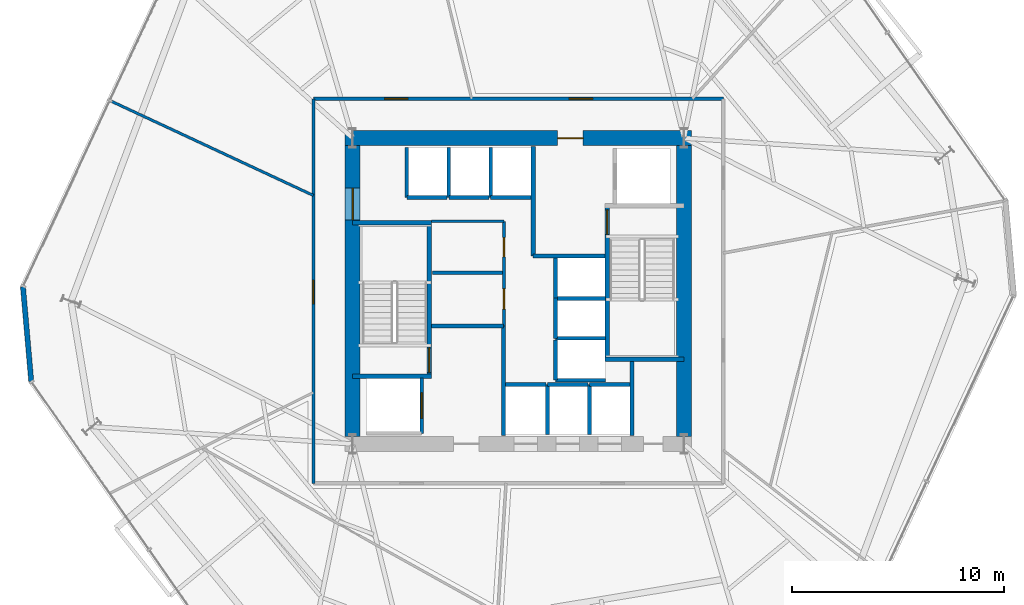
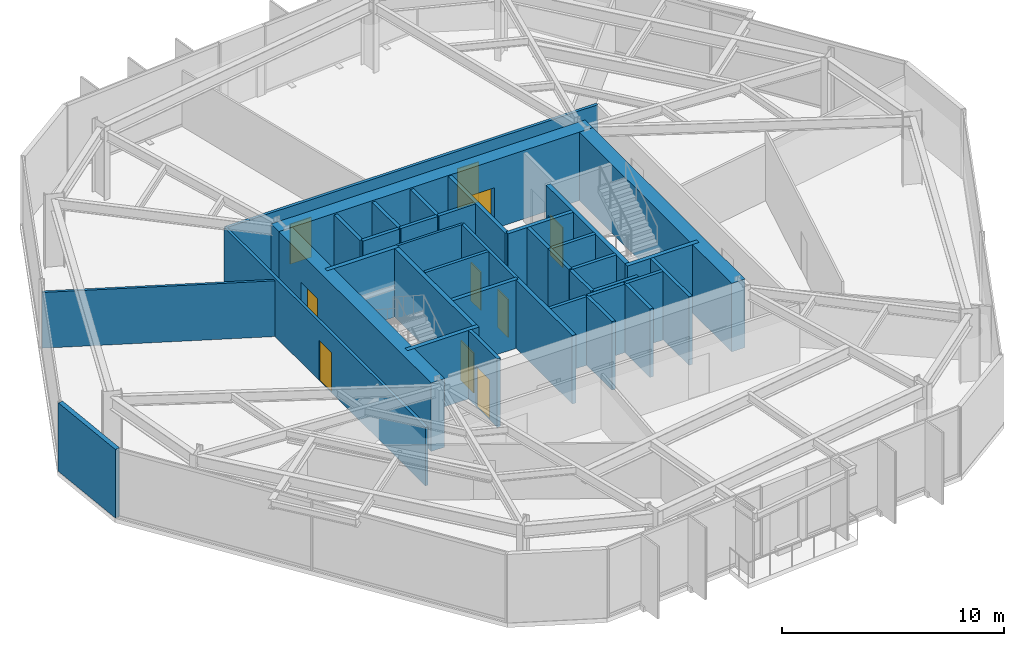
# One storey, part 7 of 11: 38 walls, 10 doors, 10 openings.
"""IFC4 building model written with IfcOpenShell, lengths in metres."""

from ifc_helpers import new_model, si_unit, direction, frame, frame_2d, origin, place, context, subcontext, project, spatial, rectangle, extrude, material, layer, layer_set, type_object, element, fill, save


model = new_model("IFC4")

# Units and contexts
model_context = context("Model", 3, precision=1e-05, world=origin(), true_north=direction((0.0, 1.0)))
body_context = subcontext(model_context, "Body", "Model", "MODEL_VIEW")
ifc_project = project(units=[si_unit("LENGTHUNIT", "METRE"), si_unit("AREAUNIT", "SQUARE_METRE"), si_unit("VOLUMEUNIT", "CUBIC_METRE"), si_unit("PLANEANGLEUNIT", "RADIAN"), si_unit("MASSUNIT", "GRAM", prefix="KILO")], contexts=[model_context])

# Site, building, storey
site_placement = place(None, origin())
site = spatial("IfcSite", under=ifc_project, at=site_placement, CompositionType="ELEMENT")
building_placement = place(site_placement, origin())
building = spatial("IfcBuilding", under=site, at=building_placement, Name="Kranzbogen Civic Tower", CompositionType="ELEMENT")
storey_placement = place(building_placement, frame((0.0, 0.0, 40.0)))
storey = spatial("IfcBuildingStorey", under=building, at=storey_placement, Name="L09", CompositionType="ELEMENT", Elevation=40.0)

# Wall, openings, doors
ifc_material_1 = material(Name="Double-Stud Acoustic Gypsum Partition")
ifc_layer_1 = layer(ifc_material_1, 0.14990234375, Name="Double-Stud Acoustic Gypsum Partition")
ifc_layer_set_1 = layer_set([ifc_layer_1], Name="Double-Stud Acoustic Gypsum Partition")
wall_type_1 = type_object("IfcWallType", Name="Acoustic Corridor and Clinical Partition 150 mm", PredefinedType="PARTITIONING", material=ifc_layer_set_1)
wall_1_placement = place(storey_placement, frame((15.35009765625, 34.050048828125, 0.0), z_axis=(0.0, 0.0, 1.0), x_axis=(1.0, 0.0, 0.0)))
wall_1 = element("IfcWall", 1, at=wall_1_placement, inside=storey, type_object=wall_type_1, Name="L09 corridor partition 01", PredefinedType="PARTITIONING", context=body_context, shape_type="SweptSolid", body=[
    extrude(rectangle(XDim=19.2998046875, YDim=0.14990234375, at=frame_2d((9.64990234375, 0.0))), origin(), (0.0, 0.0, 1.0), 3.2099609375),
])
opening_1_placement = place(wall_1_placement, frame((12.0439453125, 0.0, 0.0)))
opening_1 = element("IfcOpeningElement", 2, at=opening_1_placement, cuts=wall_1, Name="Opening D-COR60", PredefinedType="OPENING", context=body_context, shape_type="SweptSolid", body=[
    extrude(rectangle(XDim=1.10009765625, YDim=2.199951171875, at=frame_2d((0.550048828125, 1.10009765625))), frame((0.0, 0.0849609375, 0.0), z_axis=(0.0, -1.0, 0.0), x_axis=(1.0, 0.0, 0.0)), (0.0, 0.0, 1.0), 0.169921875),
])
opening_2_placement = place(wall_1_placement, frame((3.35107421875, 0.0, 0.0)))
opening_2 = element("IfcOpeningElement", 3, at=opening_2_placement, cuts=wall_1, Name="Opening D-COR60", PredefinedType="OPENING", context=body_context, shape_type="SweptSolid", body=[
    extrude(rectangle(XDim=1.10009765625, YDim=2.199951171875, at=frame_2d((0.550048828125, 1.10009765625))), frame((0.0, 0.0849609375, 0.0), z_axis=(0.0, -1.0, 0.0), x_axis=(1.0, 0.0, 0.0)), (0.0, 0.0, 1.0), 0.169921875),
])
ifc_material_2 = material(Name="Oak Timber and Fire Core", Category="wood")
door_type_1 = type_object("IfcDoorType", Name="Corridor Acoustic Fire Door 1100x2200", OperationType="NOTDEFINED", PredefinedType="DOOR", material=ifc_material_2)
door_1_placement = place(opening_1_placement, origin())
door_1 = element("IfcDoor", 4, at=door_1_placement, inside=storey, type_object=door_type_1, Name="L09 Public Delegation Reception door", OperationType="SINGLE_SWING_RIGHT", OverallHeight=2.199951171875, OverallWidth=1.10009765625, PredefinedType="DOOR", context=body_context, shape_type="SweptSolid", body=[
    extrude(rectangle(XDim=1.10009765625, YDim=2.199951171875, at=frame_2d((0.550048828125, 1.10009765625))), frame((0.0, 0.02490234375, 0.0), z_axis=(0.0, -1.0, 0.0), x_axis=(1.0, 0.0, 0.0)), (0.0, 0.0, 1.0), 0.050048828125),
])
fill(opening_1, door_1)
door_2_placement = place(opening_2_placement, origin())
door_2 = element("IfcDoor", 5, at=door_2_placement, inside=storey, type_object=door_type_1, Name="L09 Operations Security Control Room door", OperationType="SINGLE_SWING_LEFT", OverallHeight=2.199951171875, OverallWidth=1.10009765625, PredefinedType="DOOR", context=body_context, shape_type="SweptSolid", body=[
    extrude(rectangle(XDim=1.10009765625, YDim=2.199951171875, at=frame_2d((0.550048828125, 1.10009765625))), frame((0.0, 0.02490234375, 0.0), z_axis=(0.0, -1.0, 0.0), x_axis=(1.0, 0.0, 0.0)), (0.0, 0.0, 1.0), 0.050048828125),
])
fill(opening_2, door_2)

# Wall, opening, door
wall_2_placement = place(storey_placement, frame((15.35009765625, 15.949951171875, 0.0), z_axis=(0.0, 0.0, 1.0), x_axis=(0.0, 1.0, 0.0)))
wall_2 = element("IfcWall", 6, at=wall_2_placement, inside=storey, type_object=wall_type_1, Name="L09 corridor partition 04", PredefinedType="PARTITIONING", context=body_context, shape_type="SweptSolid", body=[
    extrude(rectangle(XDim=18.10009765625, YDim=0.14990234375, at=frame_2d((9.050048828125, 0.0))), origin(), (0.0, 0.0, 1.0), 3.2099609375),
])
opening_3_placement = place(wall_2_placement, frame((8.447021484375, 0.0, 0.0)))
opening_3 = element("IfcOpeningElement", 7, at=opening_3_placement, cuts=wall_2, Name="Opening D-COR60", PredefinedType="OPENING", context=body_context, shape_type="SweptSolid", body=[
    extrude(rectangle(XDim=1.10009765625, YDim=2.199951171875, at=frame_2d((0.550048828125, 1.10009765625))), frame((0.0, 0.0849609375, 0.0), z_axis=(0.0, -1.0, 0.0), x_axis=(1.0, 0.0, 0.0)), (0.0, 0.0, 1.0), 0.169921875),
])
door_3_placement = place(opening_3_placement, origin())
door_3 = element("IfcDoor", 8, at=door_3_placement, inside=storey, type_object=door_type_1, Name="L09 Ministerial Policy Office door", OperationType="SINGLE_SWING_LEFT", OverallHeight=2.199951171875, OverallWidth=1.10009765625, PredefinedType="DOOR", context=body_context, shape_type="SweptSolid", body=[
    extrude(rectangle(XDim=1.10009765625, YDim=2.199951171875, at=frame_2d((0.550048828125, 1.10009765625))), frame((0.0, 0.02490234375, 0.0), z_axis=(0.0, -1.0, 0.0), x_axis=(1.0, 0.0, 0.0)), (0.0, 0.0, 1.0), 0.050048828125),
])
fill(opening_3, door_3)

# Walls
ifc_material_3 = material(Name="Insulated Metal-Stud Gypsum Partition")
ifc_layer_2 = layer(ifc_material_3, 0.125, Name="Insulated Metal-Stud Gypsum Partition")
ifc_layer_set_2 = layer_set([ifc_layer_2], Name="Insulated Metal-Stud Gypsum Partition")
wall_type_2 = type_object("IfcWallType", Name="Acoustic Inter-Room Partition 125 mm", PredefinedType="PARTITIONING", material=ifc_layer_set_2)
wall_3_placement = place(storey_placement, frame((20.919921875, 28.280029296875, 0.0), z_axis=(0.0, 0.0, 1.0), x_axis=(1.0, 0.0, 0.0)))
element("IfcWall", 9, at=wall_3_placement, inside=storey, type_object=wall_type_2, Name="L09 core auxiliary North wall", PredefinedType="PARTITIONING", context=body_context, shape_type="SweptSolid", body=[
    extrude(rectangle(XDim=3.405029296875, YDim=0.125, at=frame_2d((1.70263671875, 0.0))), origin(), (0.0, 0.0, 1.0), 3.760009765625),
])
wall_4_placement = place(storey_placement, frame((15.35009765625, 29.5, 0.0), z_axis=(0.0, 0.0, 1.0), x_axis=(-0.906299491234, 0.42263605169, 0.0)))
element("IfcWall", 10, at=wall_4_placement, inside=storey, type_object=wall_type_2, Name="L09 radial room partition 03", PredefinedType="PARTITIONING", context=body_context, shape_type="SweptSolid", body=[
    extrude(rectangle(XDim=10.557373046875, YDim=0.125, at=frame_2d((5.27880859375, 0.0))), origin(), (0.0, 0.0, 1.0), 3.06005859375),
])

# Wall, opening, door
ifc_material_4 = material(Name="Concrete C55/67", Category="concrete")
ifc_layer_3 = layer(ifc_material_4, 0.699951171875, Name="Concrete C55/67")
ifc_layer_set_3 = layer_set([ifc_layer_3], Name="Concrete C55/67")
wall_type_3 = type_object("IfcWallType", Name="Central Core Shear Wall 700 mm", PredefinedType="SHEAR", material=ifc_layer_set_3)
wall_5_placement = place(storey_placement, frame((33.14990234375, 32.199951171875, 0.0), z_axis=(0.0, 0.0, 1.0), x_axis=(-1.0, 0.0, 0.0)))
wall_5 = element("IfcWall", 11, at=wall_5_placement, inside=storey, type_object=wall_type_3, Name="L09 central core North shear wall", PredefinedType="SHEAR", context=body_context, shape_type="SweptSolid", body=[
    extrude(rectangle(XDim=16.2998046875, YDim=0.699951171875, at=frame_2d((8.14990234375, 0.0))), origin(), (0.0, 0.0, 1.0), 3.760009765625),
])
opening_4_placement = place(wall_5_placement, frame((5.10009765625, 0.0, 0.0)))
opening_4 = element("IfcOpeningElement", 12, at=opening_4_placement, cuts=wall_5, Name="Opening D-EX120", PredefinedType="OPENING", context=body_context, shape_type="SweptSolid", body=[
    extrude(rectangle(XDim=1.199951171875, YDim=2.25, at=frame_2d((0.60009765625, 1.125))), frame((0.0, 0.35986328125, 0.0), z_axis=(0.0, -1.0, 0.0), x_axis=(1.0, 0.0, 0.0)), (0.0, 0.0, 1.0), 0.719970703125),
])
ifc_material_5 = material(Name="Steel S355", Category="steel")
door_type_2 = type_object("IfcDoorType", Name="Exit Passageway Fire Door 1200x2250", OperationType="NOTDEFINED", PredefinedType="DOOR", material=ifc_material_5)
door_4_placement = place(opening_4_placement, origin())
door_4 = element("IfcDoor", 13, at=door_4_placement, inside=storey, type_object=door_type_2, Name="L09 East firefighting lobby corridor door", OperationType="SINGLE_SWING_LEFT", OverallHeight=2.25, OverallWidth=1.199951171875, PredefinedType="DOOR", context=body_context, shape_type="SweptSolid", body=[
    extrude(rectangle(XDim=1.199951171875, YDim=2.25, at=frame_2d((0.60009765625, 1.125))), frame((0.0, 0.02490234375, 0.0), z_axis=(0.0, -1.0, 0.0), x_axis=(1.0, 0.0, 0.0)), (0.0, 0.0, 1.0), 0.050048828125),
])
fill(opening_4, door_4)

wall_6_placement = place(storey_placement, frame((17.199951171875, 31.85009765625, 0.0), z_axis=(0.0, 0.0, 1.0), x_axis=(0.0, -1.0, 0.0)))
wall_6 = element("IfcWall", 14, at=wall_6_placement, inside=storey, type_object=wall_type_3, Name="L09 central core West shear wall", PredefinedType="SHEAR", context=body_context, shape_type="SweptSolid", body=[
    extrude(rectangle(XDim=13.7001953125, YDim=0.699951171875, at=frame_2d((6.85009765625, 0.0))), origin(), (0.0, 0.0, 1.0), 3.760009765625),
])
opening_5_placement = place(wall_6_placement, frame((2.0, 0.0, 0.0)))
opening_5 = element("IfcOpeningElement", 15, at=opening_5_placement, cuts=wall_6, Name="Opening D-DBL15", PredefinedType="OPENING", context=body_context, shape_type="SweptSolid", body=[
    extrude(rectangle(XDim=1.5, YDim=2.199951171875, at=frame_2d((0.75, 1.10009765625))), frame((0.0, 0.35986328125, 0.0), z_axis=(0.0, -1.0, 0.0), x_axis=(1.0, 0.0, 0.0)), (0.0, 0.0, 1.0), 0.719970703125),
])
ifc_material_6 = material(Name="Anodised Bronze and Glass", Category="glass")
door_type_3 = type_object("IfcDoorType", Name="Civic Lobby Double Door 1500x2200", OperationType="DOUBLE_DOOR_SINGLE_SWING", PredefinedType="DOOR", material=ifc_material_6)
door_5_placement = place(opening_5_placement, origin())
door_5 = element("IfcDoor", 16, at=door_5_placement, inside=storey, type_object=door_type_3, Name="L09 Central Lift Lobby West concourse door", OperationType="DOUBLE_DOOR_SINGLE_SWING", OverallHeight=2.199951171875, OverallWidth=1.5, PredefinedType="DOOR", context=body_context, shape_type="SweptSolid", body=[
    extrude(rectangle(XDim=1.5, YDim=2.199951171875, at=frame_2d((0.75, 1.10009765625))), frame((0.0, 0.02490234375, 0.0), z_axis=(0.0, -1.0, 0.0), x_axis=(1.0, 0.0, 0.0)), (0.0, 0.0, 1.0), 0.050048828125),
])
fill(opening_5, door_5)

# Wall
wall_7_placement = place(storey_placement, frame((32.800048828125, 18.14990234375, 0.0), z_axis=(0.0, 0.0, 1.0), x_axis=(0.0, 1.0, 0.0)))
element("IfcWall", 17, at=wall_7_placement, inside=storey, type_object=wall_type_3, Name="L09 central core East shear wall", PredefinedType="SHEAR", context=body_context, shape_type="SweptSolid", body=[
    extrude(rectangle(XDim=13.7001953125, YDim=0.699951171875, at=frame_2d((6.85009765625, 0.0))), origin(), (0.0, 0.0, 1.0), 3.760009765625),
])

# Wall, opening, door
ifc_material_7 = material(Name="Concrete C45/55", Category="concrete")
ifc_layer_4 = layer(ifc_material_7, 0.219970703125, Name="Concrete C45/55")
ifc_layer_set_4 = layer_set([ifc_layer_4], Name="Concrete C45/55")
wall_type_4 = type_object("IfcWallType", Name="Core Internal Stair Structural Wall 220 mm", PredefinedType="SOLIDWALL", material=ifc_layer_set_4)
wall_8_placement = place(storey_placement, frame((20.81005859375, 20.989990234375, 0.0), z_axis=(0.0, 0.0, 1.0), x_axis=(0.0, 1.0, 0.0)))
wall_8 = element("IfcWall", 18, at=wall_8_placement, inside=storey, type_object=wall_type_4, Name="L09 ST-T1 East structural stair wall", PredefinedType="SOLIDWALL", context=body_context, shape_type="SweptSolid", body=[
    extrude(rectangle(XDim=7.219970703125, YDim=0.219970703125, at=frame_2d((3.60986328125, 0.0))), origin(), (0.0, 0.0, 1.0), 3.760009765625),
])
opening_6_placement = place(wall_8_placement, frame((0.179931640625, 0.0, 0.0)))
opening_6 = element("IfcOpeningElement", 19, at=opening_6_placement, cuts=wall_8, Name="Opening D-ST90", PredefinedType="OPENING", context=body_context, shape_type="SweptSolid", body=[
    extrude(rectangle(XDim=1.14990234375, YDim=2.199951171875, at=frame_2d((0.574951171875, 1.10009765625))), frame((0.0, 0.1201171875, 0.0), z_axis=(0.0, -1.0, 0.0), x_axis=(1.0, 0.0, 0.0)), (0.0, 0.0, 1.0), 0.239990234375),
])
door_type_4 = type_object("IfcDoorType", Name="Pressurized Stair and Lobby Fire Door 1150x2200", OperationType="NOTDEFINED", PredefinedType="DOOR", material=ifc_material_5)
door_6_placement = place(opening_6_placement, origin())
door_6 = element("IfcDoor", 20, at=door_6_placement, inside=storey, type_object=door_type_4, Name="L09 Stair ST-T1 fire door", OperationType="SINGLE_SWING_RIGHT", OverallHeight=2.199951171875, OverallWidth=1.14990234375, PredefinedType="DOOR", context=body_context, shape_type="SweptSolid", body=[
    extrude(rectangle(XDim=1.14990234375, YDim=2.199951171875, at=frame_2d((0.574951171875, 1.10009765625))), frame((0.0, 0.02490234375, 0.0), z_axis=(0.0, -1.0, 0.0), x_axis=(1.0, 0.0, 0.0)), (0.0, 0.0, 1.0), 0.050048828125),
])
fill(opening_6, door_6)

# Walls
for number, where, z_axis, x_axis, name in (
    (21, (17.199951171875, 20.989990234375, 0.0), (0.0, 0.0, 1.0), (1.0, 0.0, 0.0), "L09 ST-T1 South structural stair wall"),
    (22, (17.199951171875, 28.2099609375, 0.0), (0.0, 0.0, 1.0), (1.0, 0.0, 0.0), "L09 ST-T1 North structural stair wall"),
):
    element("IfcWall", number, at=place(storey_placement, frame(where, z_axis=z_axis, x_axis=x_axis)), inside=storey, type_object=wall_type_4, Name=name, PredefinedType="SOLIDWALL", context=body_context, shape_type="SweptSolid", body=[
        extrude(rectangle(XDim=3.719970703125, YDim=0.219970703125, at=frame_2d((1.85986328125, 0.0))), origin(), (0.0, 0.0, 1.0), 3.760009765625),
    ])

# Wall, opening, door
wall_9_placement = place(storey_placement, frame((29.18994140625, 21.7900390625, 0.0), z_axis=(0.0, 0.0, 1.0), x_axis=(0.0, 1.0, 0.0)))
wall_9 = element("IfcWall", 23, at=wall_9_placement, inside=storey, type_object=wall_type_4, Name="L09 ST-T2 West structural stair wall", PredefinedType="SOLIDWALL", context=body_context, shape_type="SweptSolid", body=[
    extrude(rectangle(XDim=7.219970703125, YDim=0.219970703125, at=frame_2d((3.60986328125, 0.0))), origin(), (0.0, 0.0, 1.0), 3.760009765625),
])
opening_7_placement = place(wall_9_placement, frame((5.8798828125, 0.0, 0.0)))
opening_7 = element("IfcOpeningElement", 24, at=opening_7_placement, cuts=wall_9, Name="Opening D-ST90", PredefinedType="OPENING", context=body_context, shape_type="SweptSolid", body=[
    extrude(rectangle(XDim=1.14990234375, YDim=2.199951171875, at=frame_2d((0.574951171875, 1.10009765625))), frame((0.0, 0.1201171875, 0.0), z_axis=(0.0, -1.0, 0.0), x_axis=(1.0, 0.0, 0.0)), (0.0, 0.0, 1.0), 0.239990234375),
])
door_7_placement = place(opening_7_placement, origin())
door_7 = element("IfcDoor", 25, at=door_7_placement, inside=storey, type_object=door_type_4, Name="L09 Stair ST-T2 fire door", OperationType="SINGLE_SWING_LEFT", OverallHeight=2.199951171875, OverallWidth=1.14990234375, PredefinedType="DOOR", context=body_context, shape_type="SweptSolid", body=[
    extrude(rectangle(XDim=1.14990234375, YDim=2.199951171875, at=frame_2d((0.574951171875, 1.10009765625))), frame((0.0, 0.02490234375, 0.0), z_axis=(0.0, -1.0, 0.0), x_axis=(1.0, 0.0, 0.0)), (0.0, 0.0, 1.0), 0.050048828125),
])
fill(opening_7, door_7)

# Walls
wall_10_placement = place(storey_placement, frame((29.080078125, 21.7900390625, 0.0), z_axis=(0.0, 0.0, 1.0), x_axis=(1.0, 0.0, 0.0)))
element("IfcWall", 26, at=wall_10_placement, inside=storey, type_object=wall_type_4, Name="L09 ST-T2 South structural stair wall", PredefinedType="SOLIDWALL", context=body_context, shape_type="SweptSolid", body=[
    extrude(rectangle(XDim=3.719970703125, YDim=0.219970703125, at=frame_2d((1.85986328125, 0.0))), origin(), (0.0, 0.0, 1.0), 3.760009765625),
])
ifc_material_8 = material(Name="Gypsum Fireboard and Concrete Block", Category="concrete")
ifc_layer_5 = layer(ifc_material_8, 0.199951171875, Name="Gypsum Fireboard and Concrete Block")
ifc_layer_set_5 = layer_set([ifc_layer_5], Name="Gypsum Fireboard and Concrete Block")
wall_type_5 = type_object("IfcWallType", Name="Fire-Rated Exit Passageway and Stair Wall 200 mm", PredefinedType="PARTITIONING", material=ifc_layer_set_5)
wall_11_placement = place(storey_placement, frame((24.300048828125, 18.199951171875, 0.0), z_axis=(0.0, 0.0, 1.0), x_axis=(0.0, 1.0, 0.0)))
element("IfcWall", 27, at=wall_11_placement, inside=storey, type_object=wall_type_5, Name="L09 West firefighting lobby East wall", PredefinedType="PARTITIONING", context=body_context, shape_type="SweptSolid", body=[
    extrude(rectangle(XDim=5.150146484375, YDim=0.199951171875, at=frame_2d((2.5751953125, 0.0))), origin(), (0.0, 0.0, 1.0), 3.760009765625),
])
wall_12_placement = place(storey_placement, frame((20.919921875, 23.35009765625, 0.0), z_axis=(0.0, 0.0, 1.0), x_axis=(1.0, 0.0, 0.0)))
element("IfcWall", 28, at=wall_12_placement, inside=storey, type_object=wall_type_5, Name="L09 West firefighting lobby North wall", PredefinedType="PARTITIONING", context=body_context, shape_type="SweptSolid", body=[
    extrude(rectangle(XDim=3.380126953125, YDim=0.199951171875, at=frame_2d((1.68994140625, 0.0))), origin(), (0.0, 0.0, 1.0), 3.760009765625),
])
wall_13_placement = place(storey_placement, frame((25.699951171875, 26.64990234375, 0.0), z_axis=(0.0, 0.0, 1.0), x_axis=(0.0, 1.0, 0.0)))
element("IfcWall", 29, at=wall_13_placement, inside=storey, type_object=wall_type_5, Name="L09 East firefighting lobby West wall", PredefinedType="PARTITIONING", context=body_context, shape_type="SweptSolid", body=[
    extrude(rectangle(XDim=5.150146484375, YDim=0.199951171875, at=frame_2d((2.5751953125, 0.0))), origin(), (0.0, 0.0, 1.0), 3.760009765625),
])
wall_14_placement = place(storey_placement, frame((25.699951171875, 26.64990234375, 0.0), z_axis=(0.0, 0.0, 1.0), x_axis=(1.0, 0.0, 0.0)))
element("IfcWall", 30, at=wall_14_placement, inside=storey, type_object=wall_type_5, Name="L09 East firefighting lobby South wall", PredefinedType="PARTITIONING", context=body_context, shape_type="SweptSolid", body=[
    extrude(rectangle(XDim=3.380126953125, YDim=0.199951171875, at=frame_2d((1.68994140625, 0.0))), origin(), (0.0, 0.0, 1.0), 3.760009765625),
])
ifc_material_9 = material(Name="Gypsum Fireboard Shaftliner")
ifc_layer_6 = layer(ifc_material_9, 0.175048828125, Name="Gypsum Fireboard Shaftliner")
ifc_layer_set_6 = layer_set([ifc_layer_6], Name="Gypsum Fireboard Shaftliner")
wall_type_6 = type_object("IfcWallType", Name="Fire-Rated Lift and Service Shaft Wall 175 mm", PredefinedType="PARTITIONING", material=ifc_layer_set_6)
wall_15_placement = place(storey_placement, frame((30.35009765625, 18.199951171875, 0.0), z_axis=(0.0, 0.0, 1.0), x_axis=(0.0, 1.0, 0.0)))
element("IfcWall", 31, at=wall_15_placement, inside=storey, type_object=wall_type_6, Name="L09 East core riser West wall", PredefinedType="PARTITIONING", context=body_context, shape_type="SweptSolid", body=[
    extrude(rectangle(XDim=3.47998046875, YDim=0.175048828125, at=frame_2d((1.739990234375, 0.0))), origin(), (0.0, 0.0, 1.0), 3.760009765625),
])
wall_16_placement = place(storey_placement, frame((24.39990234375, 20.60009765625, 0.0), z_axis=(0.0, 0.0, 1.0), x_axis=(1.0, 0.0, 0.0)))
element("IfcWall", 32, at=wall_16_placement, inside=storey, type_object=wall_type_6, Name="L09 lift LP-01 rear wall", PredefinedType="PARTITIONING", context=body_context, shape_type="SweptSolid", body=[
    extrude(rectangle(XDim=1.900146484375, YDim=0.175048828125, at=frame_2d((0.9501953125, 0.0))), origin(), (0.0, 0.0, 1.0), 3.760009765625),
])
wall_17_placement = place(storey_placement, frame((26.375, 20.60009765625, 0.0), z_axis=(0.0, 0.0, 1.0), x_axis=(1.0, 0.0, 0.0)))
element("IfcWall", 33, at=wall_17_placement, inside=storey, type_object=wall_type_6, Name="L09 lift LP-02 rear wall", PredefinedType="PARTITIONING", context=body_context, shape_type="SweptSolid", body=[
    extrude(rectangle(XDim=1.89990234375, YDim=0.175048828125, at=frame_2d((0.949951171875, 0.0))), origin(), (0.0, 0.0, 1.0), 3.760009765625),
])
wall_18_placement = place(storey_placement, frame((26.375, 18.25, 0.0), z_axis=(0.0, 0.0, 1.0), x_axis=(0.0, 1.0, 0.0)))
element("IfcWall", 34, at=wall_18_placement, inside=storey, type_object=wall_type_6, Name="L09 lift LP-02 side wall", PredefinedType="PARTITIONING", context=body_context, shape_type="SweptSolid", body=[
    extrude(rectangle(XDim=2.35009765625, YDim=0.175048828125, at=frame_2d((1.175048828125, 0.0))), origin(), (0.0, 0.0, 1.0), 3.760009765625),
])
wall_19_placement = place(storey_placement, frame((28.35009765625, 20.60009765625, 0.0), z_axis=(0.0, 0.0, 1.0), x_axis=(1.0, 0.0, 0.0)))
element("IfcWall", 35, at=wall_19_placement, inside=storey, type_object=wall_type_6, Name="L09 lift LP-03 rear wall", PredefinedType="PARTITIONING", context=body_context, shape_type="SweptSolid", body=[
    extrude(rectangle(XDim=1.89990234375, YDim=0.175048828125, at=frame_2d((0.949951171875, 0.0))), origin(), (0.0, 0.0, 1.0), 3.760009765625),
])
wall_20_placement = place(storey_placement, frame((28.35009765625, 18.25, 0.0), z_axis=(0.0, 0.0, 1.0), x_axis=(0.0, 1.0, 0.0)))
element("IfcWall", 36, at=wall_20_placement, inside=storey, type_object=wall_type_6, Name="L09 lift LP-03 side wall", PredefinedType="PARTITIONING", context=body_context, shape_type="SweptSolid", body=[
    extrude(rectangle(XDim=2.35009765625, YDim=0.175048828125, at=frame_2d((1.175048828125, 0.0))), origin(), (0.0, 0.0, 1.0), 3.760009765625),
])
wall_21_placement = place(storey_placement, frame((19.75, 29.39990234375, 0.0), z_axis=(0.0, 0.0, 1.0), x_axis=(1.0, 0.0, 0.0)))
element("IfcWall", 37, at=wall_21_placement, inside=storey, type_object=wall_type_6, Name="L09 lift MP-01 rear wall", PredefinedType="PARTITIONING", context=body_context, shape_type="SweptSolid", body=[
    extrude(rectangle(XDim=1.89990234375, YDim=0.175048828125, at=frame_2d((0.949951171875, 0.0))), origin(), (0.0, 0.0, 1.0), 3.760009765625),
])
wall_22_placement = place(storey_placement, frame((19.75, 29.39990234375, 0.0), z_axis=(0.0, 0.0, 1.0), x_axis=(0.0, 1.0, 0.0)))
element("IfcWall", 38, at=wall_22_placement, inside=storey, type_object=wall_type_6, Name="L09 lift MP-01 side wall", PredefinedType="PARTITIONING", context=body_context, shape_type="SweptSolid", body=[
    extrude(rectangle(XDim=2.35009765625, YDim=0.175048828125, at=frame_2d((1.175048828125, 0.0))), origin(), (0.0, 0.0, 1.0), 3.760009765625),
])
wall_23_placement = place(storey_placement, frame((21.72509765625, 29.39990234375, 0.0), z_axis=(0.0, 0.0, 1.0), x_axis=(1.0, 0.0, 0.0)))
element("IfcWall", 39, at=wall_23_placement, inside=storey, type_object=wall_type_6, Name="L09 lift MP-02 rear wall", PredefinedType="PARTITIONING", context=body_context, shape_type="SweptSolid", body=[
    extrude(rectangle(XDim=1.89990234375, YDim=0.175048828125, at=frame_2d((0.949951171875, 0.0))), origin(), (0.0, 0.0, 1.0), 3.760009765625),
])
wall_24_placement = place(storey_placement, frame((21.72509765625, 29.39990234375, 0.0), z_axis=(0.0, 0.0, 1.0), x_axis=(0.0, 1.0, 0.0)))
element("IfcWall", 40, at=wall_24_placement, inside=storey, type_object=wall_type_6, Name="L09 lift MP-02 side wall", PredefinedType="PARTITIONING", context=body_context, shape_type="SweptSolid", body=[
    extrude(rectangle(XDim=2.35009765625, YDim=0.175048828125, at=frame_2d((1.175048828125, 0.0))), origin(), (0.0, 0.0, 1.0), 3.760009765625),
])
wall_25_placement = place(storey_placement, frame((23.699951171875, 29.39990234375, 0.0), z_axis=(0.0, 0.0, 1.0), x_axis=(1.0, 0.0, 0.0)))
element("IfcWall", 41, at=wall_25_placement, inside=storey, type_object=wall_type_6, Name="L09 lift MP-03 rear wall", PredefinedType="PARTITIONING", context=body_context, shape_type="SweptSolid", body=[
    extrude(rectangle(XDim=1.900146484375, YDim=0.175048828125, at=frame_2d((0.9501953125, 0.0))), origin(), (0.0, 0.0, 1.0), 3.760009765625),
])
wall_26_placement = place(storey_placement, frame((23.699951171875, 29.39990234375, 0.0), z_axis=(0.0, 0.0, 1.0), x_axis=(0.0, 1.0, 0.0)))
element("IfcWall", 42, at=wall_26_placement, inside=storey, type_object=wall_type_6, Name="L09 lift MP-03 side wall", PredefinedType="PARTITIONING", context=body_context, shape_type="SweptSolid", body=[
    extrude(rectangle(XDim=2.35009765625, YDim=0.175048828125, at=frame_2d((1.175048828125, 0.0))), origin(), (0.0, 0.0, 1.0), 3.760009765625),
])
wall_27_placement = place(storey_placement, frame((26.75, 20.800048828125, 0.0), z_axis=(0.0, 0.0, 1.0), x_axis=(0.0, 1.0, 0.0)))
element("IfcWall", 43, at=wall_27_placement, inside=storey, type_object=wall_type_6, Name="L09 lift HP-01 landing wall", PredefinedType="PARTITIONING", context=body_context, shape_type="SweptSolid", body=[
    extrude(rectangle(XDim=1.89990234375, YDim=0.175048828125, at=frame_2d((0.949951171875, 0.0))), origin(), (0.0, 0.0, 1.0), 3.760009765625),
])
wall_28_placement = place(storey_placement, frame((26.75, 20.800048828125, 0.0), z_axis=(0.0, 0.0, 1.0), x_axis=(1.0, 0.0, 0.0)))
element("IfcWall", 44, at=wall_28_placement, inside=storey, type_object=wall_type_6, Name="L09 lift HP-01 side wall", PredefinedType="PARTITIONING", context=body_context, shape_type="SweptSolid", body=[
    extrude(rectangle(XDim=2.35009765625, YDim=0.175048828125, at=frame_2d((1.175048828125, 0.0))), origin(), (0.0, 0.0, 1.0), 3.760009765625),
])
wall_29_placement = place(storey_placement, frame((26.75, 22.77490234375, 0.0), z_axis=(0.0, 0.0, 1.0), x_axis=(0.0, 1.0, 0.0)))
element("IfcWall", 45, at=wall_29_placement, inside=storey, type_object=wall_type_6, Name="L09 lift HP-02 landing wall", PredefinedType="PARTITIONING", context=body_context, shape_type="SweptSolid", body=[
    extrude(rectangle(XDim=1.900146484375, YDim=0.175048828125, at=frame_2d((0.9501953125, 0.0))), origin(), (0.0, 0.0, 1.0), 3.760009765625),
])
wall_30_placement = place(storey_placement, frame((26.75, 22.77490234375, 0.0), z_axis=(0.0, 0.0, 1.0), x_axis=(1.0, 0.0, 0.0)))
element("IfcWall", 46, at=wall_30_placement, inside=storey, type_object=wall_type_6, Name="L09 lift HP-02 side wall", PredefinedType="PARTITIONING", context=body_context, shape_type="SweptSolid", body=[
    extrude(rectangle(XDim=2.35009765625, YDim=0.175048828125, at=frame_2d((1.175048828125, 0.0))), origin(), (0.0, 0.0, 1.0), 3.760009765625),
])
wall_31_placement = place(storey_placement, frame((26.75, 24.64990234375, 0.0), z_axis=(0.0, 0.0, 1.0), x_axis=(0.0, 1.0, 0.0)))
element("IfcWall", 47, at=wall_31_placement, inside=storey, type_object=wall_type_6, Name="L09 lift HP-03 landing wall", PredefinedType="PARTITIONING", context=body_context, shape_type="SweptSolid", body=[
    extrude(rectangle(XDim=1.900146484375, YDim=0.175048828125, at=frame_2d((0.9501953125, 0.0))), origin(), (0.0, 0.0, 1.0), 3.760009765625),
])
wall_32_placement = place(storey_placement, frame((26.75, 24.64990234375, 0.0), z_axis=(0.0, 0.0, 1.0), x_axis=(1.0, 0.0, 0.0)))
element("IfcWall", 48, at=wall_32_placement, inside=storey, type_object=wall_type_6, Name="L09 lift HP-03 side wall", PredefinedType="PARTITIONING", context=body_context, shape_type="SweptSolid", body=[
    extrude(rectangle(XDim=2.35009765625, YDim=0.175048828125, at=frame_2d((1.175048828125, 0.0))), origin(), (0.0, 0.0, 1.0), 3.760009765625),
])

# Wall, opening, door
wall_33_placement = place(storey_placement, frame((20.449951171875, 18.300048828125, 0.0), z_axis=(0.0, 0.0, 1.0), x_axis=(0.0, 1.0, 0.0)))
wall_33 = element("IfcWall", 49, at=wall_33_placement, inside=storey, type_object=wall_type_6, Name="L09 lift FF-01 landing wall", PredefinedType="PARTITIONING", context=body_context, shape_type="SweptSolid", body=[
    extrude(rectangle(XDim=2.599853515625, YDim=0.175048828125, at=frame_2d((1.2998046875, 0.0))), origin(), (0.0, 0.0, 1.0), 3.760009765625),
])
opening_8_placement = place(wall_33_placement, frame((0.699951171875, 0.0, 0.0)))
opening_8 = element("IfcOpeningElement", 50, at=opening_8_placement, cuts=wall_33, Name="Opening LD-FF-01", PredefinedType="OPENING", context=body_context, shape_type="SweptSolid", body=[
    extrude(rectangle(XDim=1.199951171875, YDim=2.199951171875, at=frame_2d((0.60009765625, 1.10009765625))), frame((0.0, 0.09765625, 0.0), z_axis=(0.0, -1.0, 0.0), x_axis=(1.0, 0.0, 0.0)), (0.0, 0.0, 1.0), 0.195068359375),
])
ifc_material_10 = material(Name="Pale Anodised Aluminium", Category="aluminium")
door_type_5 = type_object("IfcDoorType", Name="Firefighting and Stretcher Lift Sliding Landing Door 1200x2200", OperationType="DOUBLE_DOOR_SLIDING", PredefinedType="DOOR", material=ifc_material_10)
door_8_placement = place(opening_8_placement, origin())
door_8 = element("IfcDoor", 51, at=door_8_placement, inside=storey, type_object=door_type_5, Name="L09 lift FF-01 sliding landing door", OperationType="DOUBLE_DOOR_SLIDING", OverallHeight=2.199951171875, OverallWidth=1.199951171875, PredefinedType="DOOR", context=body_context, shape_type="SweptSolid", body=[
    extrude(rectangle(XDim=1.199951171875, YDim=2.199951171875, at=frame_2d((0.60009765625, 1.10009765625))), frame((0.0, 0.02490234375, 0.0), z_axis=(0.0, -1.0, 0.0), x_axis=(1.0, 0.0, 0.0)), (0.0, 0.0, 1.0), 0.050048828125),
])
fill(opening_8, door_8)

# Wall
ifc_layer_7 = layer(ifc_material_10, 0.239990234375, Name="Pale Anodised Aluminium")
ifc_layer_set_7 = layer_set([ifc_layer_7], Name="Pale Anodised Aluminium")
wall_type_7 = type_object("IfcWallType", Name="Insulated Aluminium Facade Portal Wall 240 mm", PredefinedType="STANDARD", material=ifc_layer_set_7)
wall_34_placement = place(storey_placement, frame((1.678955078125, 25.205078125, 0.0), z_axis=(0.0, 0.0, 1.0), x_axis=(0.087218406941, -0.996189213699, 0.0)))
element("IfcWall", 52, at=wall_34_placement, inside=storey, type_object=wall_type_7, Name="L09 chamfered corner facade spandrel 3", PredefinedType="STANDARD", context=body_context, shape_type="SweptSolid", body=[
    extrude(rectangle(XDim=4.47314453125, YDim=0.239990234375, at=frame_2d((2.236572265625, 0.0))), origin(), (0.0, 0.0, 1.0), 3.760009765625),
])

# Wall, openings, doors
ifc_material_11 = material(Name="Moisture-Resistant Gypsum Assembly")
ifc_layer_8 = layer(ifc_material_11, 0.159912109375, Name="Moisture-Resistant Gypsum Assembly")
ifc_layer_set_8 = layer_set([ifc_layer_8], Name="Moisture-Resistant Gypsum Assembly")
wall_type_8 = type_object("IfcWallType", Name="Sanitary and Plumbing Wet Wall 160 mm", PredefinedType="PLUMBINGWALL", material=ifc_layer_set_8)
wall_35_placement = place(storey_placement, frame((24.324951171875, 23.35009765625, 0.0), z_axis=(0.0, 0.0, 1.0), x_axis=(0.0, 1.0, 0.0)))
wall_35 = element("IfcWall", 53, at=wall_35_placement, inside=storey, type_object=wall_type_8, Name="L09 core auxiliary East wall", PredefinedType="PLUMBINGWALL", context=body_context, shape_type="SweptSolid", body=[
    extrude(rectangle(XDim=4.929931640625, YDim=0.159912109375, at=frame_2d((2.46484375, 0.0))), origin(), (0.0, 0.0, 1.0), 3.760009765625),
])
opening_9_placement = place(wall_35_placement, frame((0.800048828125, 0.0, 0.0)))
opening_9 = element("IfcOpeningElement", 54, at=opening_9_placement, cuts=wall_35, Name="Opening D-AWC95", PredefinedType="OPENING", context=body_context, shape_type="SweptSolid", body=[
    extrude(rectangle(XDim=0.949951171875, YDim=2.10009765625, at=frame_2d((0.47509765625, 1.050048828125))), frame((0.0, 0.08984375, 0.0), z_axis=(0.0, -1.0, 0.0), x_axis=(1.0, 0.0, 0.0)), (0.0, 0.0, 1.0), 0.179931640625),
])
opening_10_placement = place(wall_35_placement, frame((3.260009765625, 0.0, 0.0)))
opening_10 = element("IfcOpeningElement", 55, at=opening_10_placement, cuts=wall_35, Name="Opening D-WC90", PredefinedType="OPENING", context=body_context, shape_type="SweptSolid", body=[
    extrude(rectangle(XDim=0.89990234375, YDim=2.10009765625, at=frame_2d((0.449951171875, 1.050048828125))), frame((0.0, 0.08984375, 0.0), z_axis=(0.0, -1.0, 0.0), x_axis=(1.0, 0.0, 0.0)), (0.0, 0.0, 1.0), 0.179931640625),
])
ifc_material_12 = material(Name="Moisture-Resistant Laminate")
door_type_6 = type_object("IfcDoorType", Name="Accessible Restroom Door 950x2100", OperationType="NOTDEFINED", PredefinedType="DOOR", material=ifc_material_12)
door_9_placement = place(opening_9_placement, origin())
door_9 = element("IfcDoor", 56, at=door_9_placement, inside=storey, type_object=door_type_6, Name="L09 Accessible Restroom door", OperationType="SINGLE_SWING_RIGHT", OverallHeight=2.10009765625, OverallWidth=0.949951171875, PredefinedType="DOOR", context=body_context, shape_type="SweptSolid", body=[
    extrude(rectangle(XDim=0.949951171875, YDim=2.10009765625, at=frame_2d((0.47509765625, 1.050048828125))), frame((0.0, 0.02490234375, 0.0), z_axis=(0.0, -1.0, 0.0), x_axis=(1.0, 0.0, 0.0)), (0.0, 0.0, 1.0), 0.050048828125),
])
fill(opening_9, door_9)
door_type_7 = type_object("IfcDoorType", Name="Standard Restroom and Store Door 900x2100", OperationType="NOTDEFINED", PredefinedType="DOOR", material=ifc_material_12)
door_10_placement = place(opening_10_placement, origin())
door_10 = element("IfcDoor", 57, at=door_10_placement, inside=storey, type_object=door_type_7, Name="L09 Staff Restroom door", OperationType="SINGLE_SWING_LEFT", OverallHeight=2.10009765625, OverallWidth=0.89990234375, PredefinedType="DOOR", context=body_context, shape_type="SweptSolid", body=[
    extrude(rectangle(XDim=0.89990234375, YDim=2.10009765625, at=frame_2d((0.449951171875, 1.050048828125))), frame((0.0, 0.02490234375, 0.0), z_axis=(0.0, -1.0, 0.0), x_axis=(1.0, 0.0, 0.0)), (0.0, 0.0, 1.0), 0.050048828125),
])
fill(opening_10, door_10)

# Wall
wall_36_placement = place(storey_placement, frame((20.949951171875, 25.860107421875, 0.0), z_axis=(0.0, 0.0, 1.0), x_axis=(1.0, 0.0, 0.0)))
element("IfcWall", 58, at=wall_36_placement, inside=storey, type_object=wall_type_8, Name="L09 core auxiliary partition 1", PredefinedType="PLUMBINGWALL", context=body_context, shape_type="SweptSolid", body=[
    extrude(rectangle(XDim=3.300048828125, YDim=0.159912109375, at=frame_2d((1.64990234375, 0.0))), origin(), (0.0, 0.0, 1.0), 3.760009765625),
])

save(model, "model.ifc")
